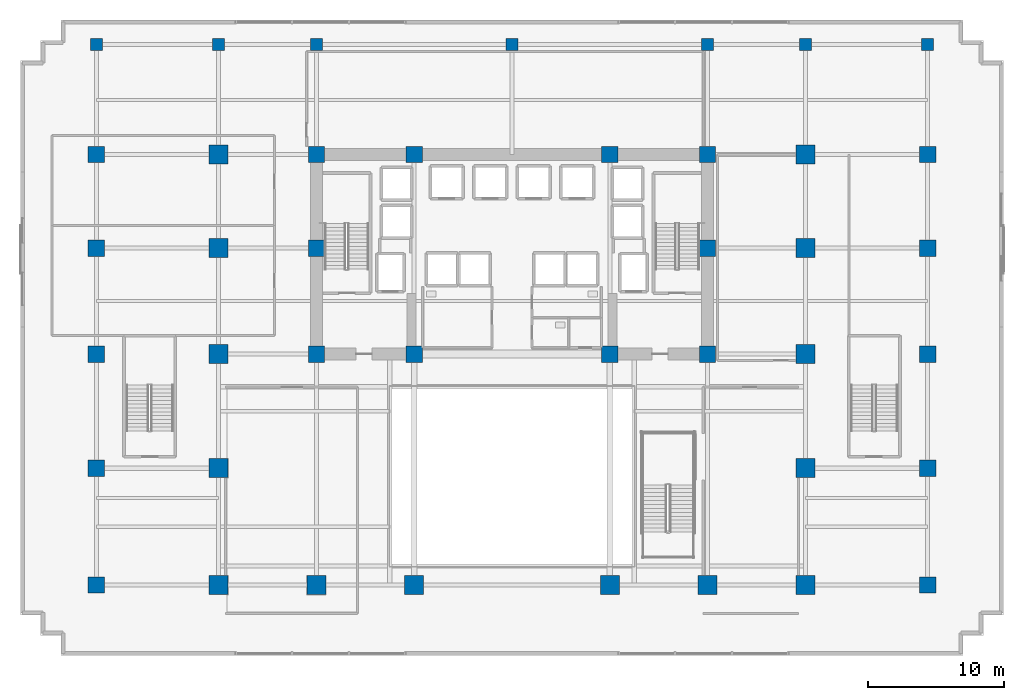
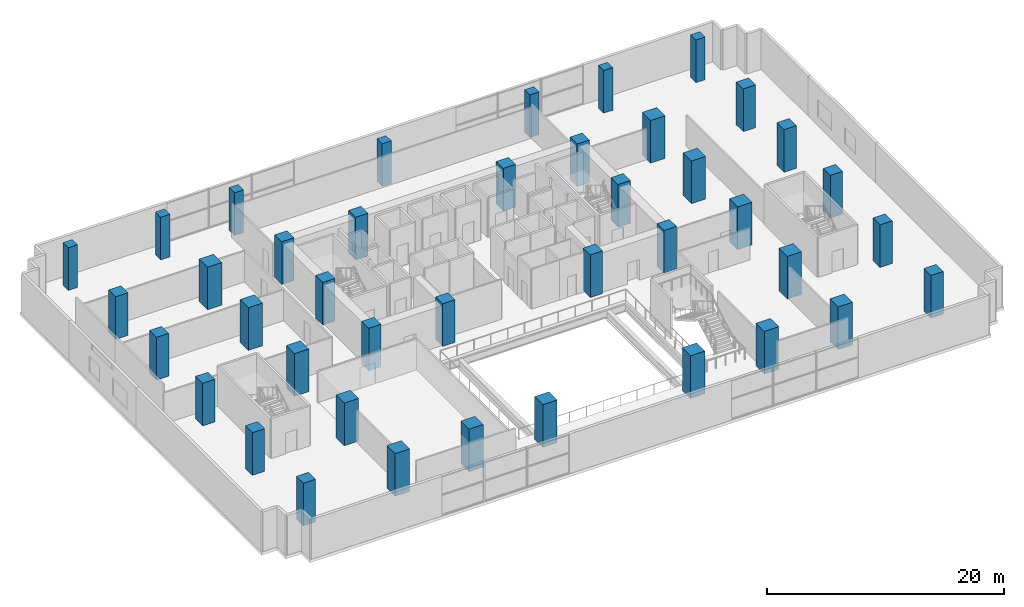
# One storey, part 1 of 21: 41 columns.
"""IFC4 building model written with IfcOpenShell, lengths in metres."""

from ifc_helpers import new_model, si_unit, direction, frame, origin, origin_2d, place, context, subcontext, project, spatial, rectangle, extrude, material, material_profile, profile_set, type_object, element, save


model = new_model("IFC4")

# Units and contexts
model_context = context("Model", 3, precision=1e-05, world=origin(), true_north=direction((0.0, 1.0)))
body_context = subcontext(model_context, "Body", "Model", "MODEL_VIEW")
ifc_project = project(units=[si_unit("LENGTHUNIT", "METRE"), si_unit("AREAUNIT", "SQUARE_METRE"), si_unit("VOLUMEUNIT", "CUBIC_METRE"), si_unit("PLANEANGLEUNIT", "RADIAN"), si_unit("MASSUNIT", "GRAM", prefix="KILO")], contexts=[model_context])

# Site, building, storey
site_placement = place(None, origin())
site = spatial("IfcSite", under=ifc_project, at=site_placement, CompositionType="ELEMENT")
building_placement = place(site_placement, origin())
building = spatial("IfcBuilding", under=site, at=building_placement, Name="Zarnakvel Exchange Tower", CompositionType="ELEMENT")
storey_placement = place(building_placement, frame((0.0, 0.0, 18.199951171875)))
storey = spatial("IfcBuildingStorey", under=building, at=storey_placement, Name="L04", CompositionType="ELEMENT", Elevation=18.199951171875)

# Columns
ifc_material_1 = material(Name="Concrete C80/95", Category="concrete")
ifc_material_profile_1 = material_profile(ifc_material_1, rectangle(XDim=1.199951171875, YDim=1.199951171875, at=origin_2d()))
ifc_profile_set_1 = profile_set([ifc_material_profile_1], Name="Concrete C80/95")
column_type_1 = type_object("IfcColumnType", Name="CC-01", PredefinedType="COLUMN", material=ifc_profile_set_1)
for number, where, z_axis, x_axis, name in (
    (1, (-14.39990234375, -1.199951171875, 0.0), (0.0, 0.0, 1.0), (1.0, 0.0, 0.0), "L04 Column C-4D (CC-01)"),
    (2, (-7.199951171875, -1.199951171875, 0.0), (0.0, 0.0, 1.0), (1.0, 0.0, 0.0), "L04 Column C-5D (CC-01)"),
    (3, (7.199951171875, -1.199951171875, 0.0), (0.0, 0.0, 1.0), (1.0, 0.0, 0.0), "L04 Column C-8D (CC-01)"),
    (4, (14.39990234375, -1.199951171875, 0.0), (0.0, 0.0, 1.0), (1.0, 0.0, 0.0), "L04 Column C-9D (CC-01)"),
    (5, (-14.39990234375, 6.60009765625, 0.0), (0.0, 0.0, 1.0), (1.0, 0.0, 0.0), "L04 Column C-4E (CC-01)"),
    (6, (14.39990234375, 6.60009765625, 0.0), (0.0, 0.0, 1.0), (1.0, 0.0, 0.0), "L04 Column C-9E (CC-01)"),
    (7, (-14.39990234375, 13.5, 0.0), (0.0, 0.0, 1.0), (1.0, 0.0, 0.0), "L04 Column C-4F (CC-01)"),
    (8, (-7.199951171875, 13.5, 0.0), (0.0, 0.0, 1.0), (1.0, 0.0, 0.0), "L04 Column C-5F (CC-01)"),
    (9, (7.199951171875, 13.5, 0.0), (0.0, 0.0, 1.0), (1.0, 0.0, 0.0), "L04 Column C-8F (CC-01)"),
    (10, (14.39990234375, 13.5, 0.0), (0.0, 0.0, 1.0), (1.0, 0.0, 0.0), "L04 Column C-9F (CC-01)"),
):
    element("IfcColumn", number, at=place(storey_placement, frame(where, z_axis=z_axis, x_axis=x_axis)), inside=storey, type_object=column_type_1, Name=name, PredefinedType="COLUMN", context=body_context, shape_type="SweptSolid", body=[
        extrude(rectangle(XDim=1.199951171875, YDim=1.199951171875, at=origin_2d()), origin(), (0.0, 0.0, 1.0), 4.400146484375),
    ])
ifc_material_profile_2 = material_profile(ifc_material_1, rectangle(XDim=1.39990234375, YDim=1.39990234375, at=origin_2d()))
ifc_profile_set_2 = profile_set([ifc_material_profile_2], Name="Concrete C80/95")
column_type_2 = type_object("IfcColumnType", Name="MC-02", PredefinedType="COLUMN", material=ifc_profile_set_2)
for number, where, z_axis, x_axis, name in (
    (11, (-21.60009765625, -18.199951171875, 0.0), (0.0, 0.0, 1.0), (1.0, 0.0, 0.0), "L04 Column M-3B (MC-02)"),
    (12, (-14.39990234375, -18.199951171875, 0.0), (0.0, 0.0, 1.0), (1.0, 0.0, 0.0), "L04 Column M-4B (MC-02)"),
    (13, (-7.199951171875, -18.199951171875, 0.0), (0.0, 0.0, 1.0), (1.0, 0.0, 0.0), "L04 Column M-5B (MC-02)"),
    (14, (7.199951171875, -18.199951171875, 0.0), (0.0, 0.0, 1.0), (1.0, 0.0, 0.0), "L04 Column M-8B (MC-02)"),
    (15, (14.39990234375, -18.199951171875, 0.0), (0.0, 0.0, 1.0), (1.0, 0.0, 0.0), "L04 Column M-9B (MC-02)"),
    (16, (21.60009765625, -18.199951171875, 0.0), (0.0, 0.0, 1.0), (1.0, 0.0, 0.0), "L04 Column M-10B (MC-02)"),
    (17, (-21.60009765625, -9.60009765625, 0.0), (0.0, 0.0, 1.0), (1.0, 0.0, 0.0), "L04 Column M-3C (MC-02)"),
    (18, (21.60009765625, -9.60009765625, 0.0), (0.0, 0.0, 1.0), (1.0, 0.0, 0.0), "L04 Column M-10C (MC-02)"),
    (19, (-21.60009765625, -1.199951171875, 0.0), (0.0, 0.0, 1.0), (1.0, 0.0, 0.0), "L04 Column M-3D (MC-02)"),
    (20, (21.60009765625, -1.199951171875, 0.0), (0.0, 0.0, 1.0), (1.0, 0.0, 0.0), "L04 Column M-10D (MC-02)"),
    (21, (-21.60009765625, 6.60009765625, 0.0), (0.0, 0.0, 1.0), (1.0, 0.0, 0.0), "L04 Column M-3E (MC-02)"),
    (22, (21.60009765625, 6.60009765625, 0.0), (0.0, 0.0, 1.0), (1.0, 0.0, 0.0), "L04 Column M-10E (MC-02)"),
    (23, (-21.60009765625, 13.5, 0.0), (0.0, 0.0, 1.0), (1.0, 0.0, 0.0), "L04 Column M-3F (MC-02)"),
    (24, (21.60009765625, 13.5, 0.0), (0.0, 0.0, 1.0), (1.0, 0.0, 0.0), "L04 Column M-10F (MC-02)"),
):
    element("IfcColumn", number, at=place(storey_placement, frame(where, z_axis=z_axis, x_axis=x_axis)), inside=storey, type_object=column_type_2, Name=name, PredefinedType="COLUMN", context=body_context, shape_type="SweptSolid", body=[
        extrude(rectangle(XDim=1.39990234375, YDim=1.39990234375, at=origin_2d()), origin(), (0.0, 0.0, 1.0), 4.400146484375),
    ])
ifc_material_profile_3 = material_profile(ifc_material_1, rectangle(XDim=1.199951171875, YDim=1.199951171875, at=origin_2d()))
ifc_profile_set_3 = profile_set([ifc_material_profile_3], Name="Concrete C80/95")
column_type_3 = type_object("IfcColumnType", Name="MC-03", PredefinedType="COLUMN", material=ifc_profile_set_3)
for number, where, z_axis, x_axis, name in (
    (25, (-30.60009765625, -18.199951171875, 0.0), (0.0, 0.0, 1.0), (1.0, 0.0, 0.0), "L04 Column W-2B (MC-03)"),
    (26, (-30.60009765625, -9.60009765625, 0.0), (0.0, 0.0, 1.0), (1.0, 0.0, 0.0), "L04 Column W-2C (MC-03)"),
    (27, (-30.60009765625, -1.199951171875, 0.0), (0.0, 0.0, 1.0), (1.0, 0.0, 0.0), "L04 Column W-2D (MC-03)"),
    (28, (-30.60009765625, 6.60009765625, 0.0), (0.0, 0.0, 1.0), (1.0, 0.0, 0.0), "L04 Column W-2E (MC-03)"),
    (29, (-30.60009765625, 13.5, 0.0), (0.0, 0.0, 1.0), (1.0, 0.0, 0.0), "L04 Column W-2F (MC-03)"),
    (30, (30.60009765625, -18.199951171875, 0.0), (0.0, 0.0, 1.0), (1.0, 0.0, 0.0), "L04 Column W-11B (MC-03)"),
    (31, (30.60009765625, -9.60009765625, 0.0), (0.0, 0.0, 1.0), (1.0, 0.0, 0.0), "L04 Column W-11C (MC-03)"),
    (32, (30.60009765625, -1.199951171875, 0.0), (0.0, 0.0, 1.0), (1.0, 0.0, 0.0), "L04 Column W-11D (MC-03)"),
    (33, (30.60009765625, 6.60009765625, 0.0), (0.0, 0.0, 1.0), (1.0, 0.0, 0.0), "L04 Column W-11E (MC-03)"),
    (34, (30.60009765625, 13.5, 0.0), (0.0, 0.0, 1.0), (1.0, 0.0, 0.0), "L04 Column W-11F (MC-03)"),
):
    element("IfcColumn", number, at=place(storey_placement, frame(where, z_axis=z_axis, x_axis=x_axis)), inside=storey, type_object=column_type_3, Name=name, PredefinedType="COLUMN", context=body_context, shape_type="SweptSolid", body=[
        extrude(rectangle(XDim=1.199951171875, YDim=1.199951171875, at=origin_2d()), origin(), (0.0, 0.0, 1.0), 4.400146484375),
    ])
ifc_material_2 = material(Name="Concrete C50/60", Category="concrete")
ifc_material_profile_4 = material_profile(ifc_material_2, rectangle(XDim=0.89990234375, YDim=0.89990234375, at=origin_2d()))
ifc_profile_set_4 = profile_set([ifc_material_profile_4], Name="Concrete C50/60")
column_type_4 = type_object("IfcColumnType", Name="MC-04", PredefinedType="COLUMN", material=ifc_profile_set_4)
for number, where, z_axis, x_axis, name in (
    (35, (-30.60009765625, 21.60009765625, 0.0), (0.0, 0.0, 1.0), (1.0, 0.0, 0.0), "L04 Column P-2G (MC-04)"),
    (36, (30.60009765625, 21.60009765625, 0.0), (0.0, 0.0, 1.0), (1.0, 0.0, 0.0), "L04 Column P-11G (MC-04)"),
    (37, (-21.60009765625, 21.60009765625, 0.0), (0.0, 0.0, 1.0), (1.0, 0.0, 0.0), "L04 Column P-3G (MC-04)"),
    (38, (21.60009765625, 21.60009765625, 0.0), (0.0, 0.0, 1.0), (1.0, 0.0, 0.0), "L04 Column P-10G (MC-04)"),
    (39, (-14.39990234375, 21.60009765625, 0.0), (0.0, 0.0, 1.0), (1.0, 0.0, 0.0), "L04 Column P-4G (MC-04)"),
    (40, (0.0, 21.60009765625, 0.0), (0.0, 0.0, 1.0), (1.0, 0.0, 0.0), "L04 Column P-65G (MC-04)"),
    (41, (14.39990234375, 21.60009765625, 0.0), (0.0, 0.0, 1.0), (1.0, 0.0, 0.0), "L04 Column P-9G (MC-04)"),
):
    element("IfcColumn", number, at=place(storey_placement, frame(where, z_axis=z_axis, x_axis=x_axis)), inside=storey, type_object=column_type_4, Name=name, PredefinedType="COLUMN", context=body_context, shape_type="SweptSolid", body=[
        extrude(rectangle(XDim=0.89990234375, YDim=0.89990234375, at=origin_2d()), origin(), (0.0, 0.0, 1.0), 4.400146484375),
    ])

save(model, "model.ifc")
